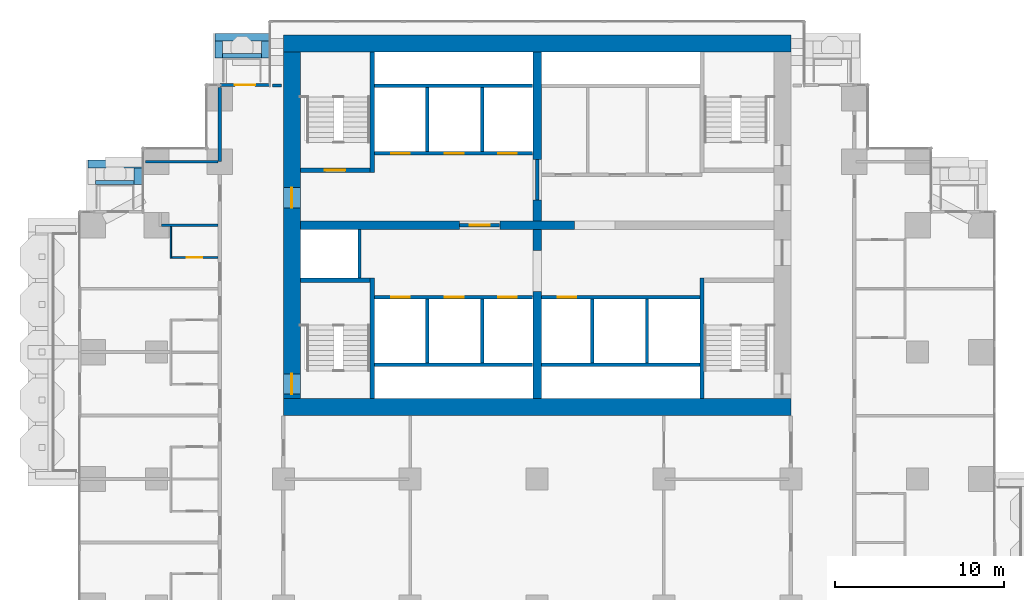
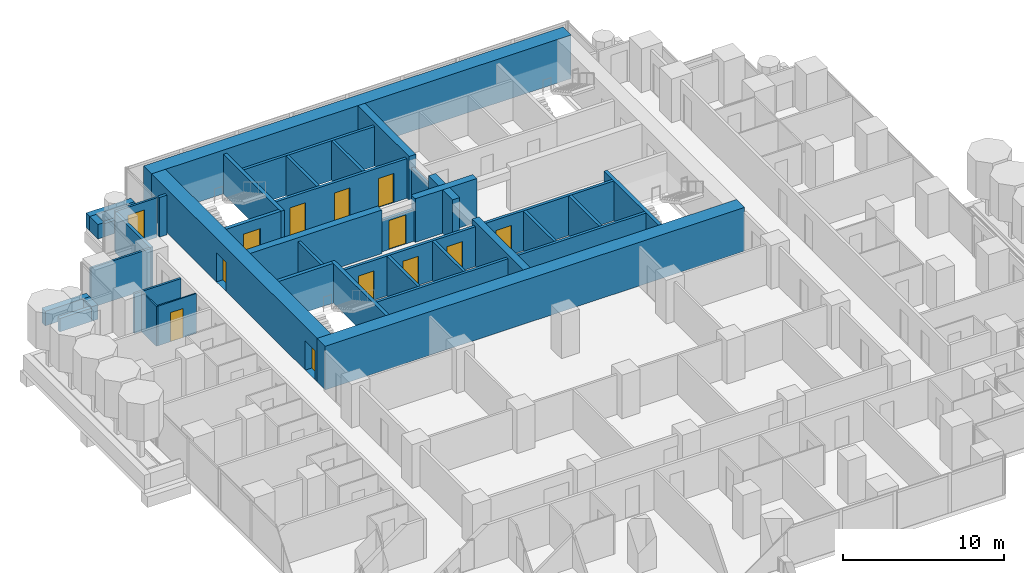
# One storey, part 13 of 18: 43 walls, 13 doors, 13 openings.
"""IFC4 building model written with IfcOpenShell, lengths in metres."""

from ifc_helpers import new_model, si_unit, direction, frame, frame_2d, origin, place, context, subcontext, project, spatial, rectangle, extrude, material, layer, layer_set, type_object, element, fill, save


model = new_model("IFC4")

# Units and contexts
model_context = context("Model", 3, precision=1e-05, world=origin(), true_north=direction((0.0, 1.0)))
body_context = subcontext(model_context, "Body", "Model", "MODEL_VIEW")
ifc_project = project(units=[si_unit("LENGTHUNIT", "METRE"), si_unit("AREAUNIT", "SQUARE_METRE"), si_unit("VOLUMEUNIT", "CUBIC_METRE"), si_unit("PLANEANGLEUNIT", "RADIAN"), si_unit("MASSUNIT", "GRAM", prefix="KILO")], contexts=[model_context])

# Site, building, storey
site_placement = place(None, origin())
site = spatial("IfcSite", under=ifc_project, at=site_placement, CompositionType="ELEMENT")
building_placement = place(site_placement, origin())
building = spatial("IfcBuilding", under=site, at=building_placement, Name="Pilkhan Gate Tower", CompositionType="ELEMENT")
storey_placement = place(building_placement, frame((0.0, 0.0, 75.800048828125)))
storey = spatial("IfcBuildingStorey", under=building, at=storey_placement, Name="L17", CompositionType="ELEMENT", Elevation=75.800048828125)

# Walls
ifc_material_1 = material(Name="Concrete C40/50", Category="concrete")
ifc_layer_1 = layer(ifc_material_1, 0.25)
ifc_layer_set_1 = layer_set([ifc_layer_1], Name="Balcony planter BP250")
wall_type_1 = type_object("IfcWallType", Name="Balcony planter BP250", PredefinedType="USERDEFINED", material=ifc_layer_set_1)
wall_1_placement = place(storey_placement, frame((56.39990234375, 92.52490234375, 0.0), z_axis=(0.0, 0.0, 1.0), x_axis=(1.0, 0.0, 0.0)))
element("IfcWall", 1, at=wall_1_placement, inside=storey, type_object=wall_type_1, Name="Balcony planter L17 N", ObjectType="BALCONY PLANTER", PredefinedType="USERDEFINED", context=body_context, shape_type="SweptSolid", body=[
    extrude(rectangle(XDim=2.300048828125, YDim=0.25, at=frame_2d((1.14990234375, 0.0))), origin(), (0.0, 0.0, 1.0), 1.0),
])
wall_2_placement = place(storey_placement, frame((48.89990234375, 85.02490234375, 0.0), z_axis=(0.0, 0.0, 1.0), x_axis=(1.0, 0.0, 0.0)))
element("IfcWall", 2, at=wall_2_placement, inside=storey, type_object=wall_type_1, Name="Balcony planter L17 N", ObjectType="BALCONY PLANTER", PredefinedType="USERDEFINED", context=body_context, shape_type="SweptSolid", body=[
    extrude(rectangle(XDim=2.280029296875, YDim=0.25, at=frame_2d((1.14013671875, 0.0))), origin(), (0.0, 0.0, 1.0), 1.0),
])
ifc_material_2 = material(Name="Board-marked Concrete C40/50", Category="concrete")
ifc_layer_2 = layer(ifc_material_2, 0.449951171875)
ifc_layer_set_2 = layer_set([ifc_layer_2], Name="Balcony planter lip BL450")
wall_type_2 = type_object("IfcWallType", Name="Balcony planter lip BL450", PredefinedType="USERDEFINED", material=ifc_layer_set_2)
wall_3_placement = place(storey_placement, frame((55.949951171875, 93.625, 0.0), z_axis=(0.0, 0.0, 1.0), x_axis=(1.0, 0.0, 0.0)))
element("IfcWall", 3, at=wall_3_placement, inside=storey, type_object=wall_type_2, Name="Balcony planter L17 N", ObjectType="BALCONY PLANTER", PredefinedType="USERDEFINED", context=body_context, shape_type="SweptSolid", body=[
    extrude(rectangle(XDim=3.199951171875, YDim=0.449951171875, at=frame_2d((1.60009765625, 0.0))), origin(), (0.0, 0.0, 1.0), 1.099853515625),
])
for number, where, z_axis, x_axis, name in (
    (4, (56.175048828125, 92.39990234375, 0.0), (0.0, 0.0, 1.0), (0.0, 1.0, 0.0), "Balcony planter L17 N"),
    (5, (58.925048828125, 92.39990234375, 0.0), (0.0, 0.0, 1.0), (0.0, 1.0, 0.0), "Balcony planter L17 N"),
):
    element("IfcWall", number, at=place(storey_placement, frame(where, z_axis=z_axis, x_axis=x_axis)), inside=storey, type_object=wall_type_2, Name=name, ObjectType="BALCONY PLANTER", PredefinedType="USERDEFINED", context=body_context, shape_type="SweptSolid", body=[
        extrude(rectangle(XDim=1.0, YDim=0.449951171875, at=frame_2d((0.5, 0.0))), origin(), (0.0, 0.0, 1.0), 1.099853515625),
    ])
wall_4_placement = place(storey_placement, frame((48.449951171875, 86.125, 0.0), z_axis=(0.0, 0.0, 1.0), x_axis=(1.0, 0.0, 0.0)))
element("IfcWall", 6, at=wall_4_placement, inside=storey, type_object=wall_type_2, Name="Balcony planter L17 N", ObjectType="BALCONY PLANTER", PredefinedType="USERDEFINED", context=body_context, shape_type="SweptSolid", body=[
    extrude(rectangle(XDim=3.179931640625, YDim=0.449951171875, at=frame_2d((1.58984375, 0.0))), origin(), (0.0, 0.0, 1.0), 1.099853515625),
])
wall_5_placement = place(storey_placement, frame((51.405029296875, 84.89990234375, 0.0), z_axis=(0.0, 0.0, 1.0), x_axis=(0.0, 1.0, 0.0)))
element("IfcWall", 7, at=wall_5_placement, inside=storey, type_object=wall_type_2, Name="Balcony planter L17 N", ObjectType="BALCONY PLANTER", PredefinedType="USERDEFINED", context=body_context, shape_type="SweptSolid", body=[
    extrude(rectangle(XDim=1.0, YDim=0.449951171875, at=frame_2d((0.5, 0.0))), origin(), (0.0, 0.0, 1.0), 1.099853515625),
])
ifc_material_3 = material(Name="Concrete C70/85", Category="concrete")
ifc_layer_3 = layer(ifc_material_3, 1.0)
ifc_layer_set_3 = layer_set([ifc_layer_3], Name="Core wall CW1000 C70/85")
wall_type_3 = type_object("IfcWallType", Name="Core wall CW1000 C70/85", PredefinedType="SHEAR", material=ifc_layer_set_3)
for number, where, z_axis, x_axis, name in (
    (8, (60.0, 71.75, 0.0), (0.0, 0.0, 1.0), (1.0, 0.0, 0.0), "Core wall S L17"),
    (9, (90.0, 93.25, 0.0), (0.0, 0.0, 1.0), (-1.0, 0.0, 0.0), "Core wall N L17"),
):
    element("IfcWall", number, at=place(storey_placement, frame(where, z_axis=z_axis, x_axis=x_axis)), inside=storey, type_object=wall_type_3, Name=name, PredefinedType="SHEAR", context=body_context, shape_type="SweptSolid", body=[
        extrude(rectangle(XDim=30.0, YDim=1.0, at=frame_2d((15.0, 0.0))), origin(), (0.0, 0.0, 1.0), 3.300048828125),
    ])

# Wall, openings, doors
wall_6_placement = place(storey_placement, frame((60.5, 92.75, 0.0), z_axis=(0.0, 0.0, 1.0), x_axis=(0.0, -1.0, 0.0)))
wall_6 = element("IfcWall", 10, at=wall_6_placement, inside=storey, type_object=wall_type_3, Name="Core wall W L17", PredefinedType="SHEAR", context=body_context, shape_type="SweptSolid", body=[
    extrude(rectangle(XDim=20.5, YDim=1.0, at=frame_2d((10.25, 0.0))), origin(), (0.0, 0.0, 1.0), 3.300048828125),
])
opening_1_placement = place(wall_6_placement, frame((19.02490234375, 0.0, 0.0)))
opening_1 = element("IfcOpeningElement", 11, at=opening_1_placement, cuts=wall_6, Name="Opening L17-04", PredefinedType="OPENING", context=body_context, shape_type="SweptSolid", body=[
    extrude(rectangle(XDim=1.199951171875, YDim=2.199951171875, at=frame_2d((0.60009765625, 1.10009765625))), frame((0.0, 0.510009765625, 0.0), z_axis=(0.0, -1.0, 0.0), x_axis=(1.0, 0.0, 0.0)), (0.0, 0.0, 1.0), 1.02001953125),
])
opening_2_placement = place(wall_6_placement, frame((8.02490234375, 0.0, 0.0)))
opening_2 = element("IfcOpeningElement", 12, at=opening_2_placement, cuts=wall_6, Name="Opening L17-43", PredefinedType="OPENING", context=body_context, shape_type="SweptSolid", body=[
    extrude(rectangle(XDim=1.199951171875, YDim=2.199951171875, at=frame_2d((0.60009765625, 1.10009765625))), frame((0.0, 0.510009765625, 0.0), z_axis=(0.0, -1.0, 0.0), x_axis=(1.0, 0.0, 0.0)), (0.0, 0.0, 1.0), 1.02001953125),
])
ifc_material_4 = material(Name="Steel door, 120 minute fire resisting, self-closing", Category="steel")
door_type_1 = type_object("IfcDoorType", Name="Firefighting lobby door D10 1200x2200", OperationType="SINGLE_SWING_LEFT", PredefinedType="DOOR", material=ifc_material_4)
door_1_placement = place(opening_2_placement, origin())
door_1 = element("IfcDoor", 13, at=door_1_placement, inside=storey, type_object=door_type_1, Name="Core door", OperationType="SINGLE_SWING_LEFT", OverallHeight=2.199951171875, OverallWidth=1.199951171875, PredefinedType="DOOR", context=body_context, shape_type="SweptSolid", body=[
    extrude(rectangle(XDim=1.199951171875, YDim=2.199951171875, at=frame_2d((0.60009765625, 1.10009765625))), frame((0.0, 0.02490234375, 0.0), z_axis=(0.0, -1.0, 0.0), x_axis=(1.0, 0.0, 0.0)), (0.0, 0.0, 1.0), 0.050048828125),
])
fill(opening_2, door_1)
ifc_material_5 = material(Name="Steel door, 120 minute fire resisting, panic bar", Category="steel")
door_type_2 = type_object("IfcDoorType", Name="Stair door D11 1200x2200", OperationType="SINGLE_SWING_LEFT", PredefinedType="DOOR", material=ifc_material_5)
door_2_placement = place(opening_1_placement, origin())
door_2 = element("IfcDoor", 14, at=door_2_placement, inside=storey, type_object=door_type_2, Name="Stair ST2 door", OperationType="SINGLE_SWING_RIGHT", OverallHeight=2.199951171875, OverallWidth=1.199951171875, PredefinedType="DOOR", context=body_context, shape_type="SweptSolid", body=[
    extrude(rectangle(XDim=1.199951171875, YDim=2.199951171875, at=frame_2d((0.60009765625, 1.10009765625))), frame((0.0, 0.02490234375, 0.0), z_axis=(0.0, -1.0, 0.0), x_axis=(1.0, 0.0, 0.0)), (0.0, 0.0, 1.0), 0.050048828125),
])
fill(opening_1, door_2)

# Walls
ifc_material_6 = material(Name="Dense blockwork", Category="masonry")
ifc_layer_4 = layer(ifc_material_6, 0.199951171875)
ifc_layer_set_4 = layer_set([ifc_layer_4], Name="Corridor wall FW200")
wall_type_4 = type_object("IfcWallType", Name="Corridor wall FW200", PredefinedType="PARTITIONING", material=ifc_layer_set_4)
wall_7_placement = place(storey_placement, frame((59.35498046875, 90.764892578125, 0.0), z_axis=(0.0, 0.0, 1.0), x_axis=(1.0, 0.0, 0.0)))
element("IfcWall", 15, at=wall_7_placement, inside=storey, type_object=wall_type_4, Name="Partition L17", PredefinedType="PARTITIONING", context=body_context, shape_type="SweptSolid", body=[
    extrude(rectangle(XDim=0.52490234375, YDim=0.199951171875, at=frame_2d((0.262451171875, 0.0))), origin(), (0.0, 0.0, 1.0), 3.0),
])
wall_8_placement = place(storey_placement, frame((56.25, 86.280029296875, 0.0), z_axis=(0.0, 0.0, 1.0), x_axis=(0.0, 1.0, 0.0)))
element("IfcWall", 16, at=wall_8_placement, inside=storey, type_object=wall_type_4, Name="Partition L17", PredefinedType="PARTITIONING", context=body_context, shape_type="SweptSolid", body=[
    extrude(rectangle(XDim=4.364990234375, YDim=0.199951171875, at=frame_2d((2.1826171875, 0.0))), origin(), (0.0, 0.0, 1.0), 3.0),
])

# Wall, opening, door
ifc_material_7 = material(Name="Pale anodised aluminium, clear laminated glazing", Category="aluminium")
ifc_layer_5 = layer(ifc_material_7, 0.14990234375)
ifc_layer_set_5 = layer_set([ifc_layer_5], Name="Facade infill wall IW150")
wall_type_5 = type_object("IfcWallType", Name="Facade infill wall IW150", PredefinedType="SOLIDWALL", material=ifc_layer_set_5)
wall_9_placement = place(storey_placement, frame((56.25, 90.794921875, 0.0), z_axis=(0.0, 0.0, 1.0), x_axis=(1.0, 0.0, 0.0)))
wall_9 = element("IfcWall", 17, at=wall_9_placement, inside=storey, type_object=wall_type_5, Name="Infill wall L17 N", PredefinedType="SOLIDWALL", context=body_context, shape_type="SweptSolid", body=[
    extrude(rectangle(XDim=2.955078125, YDim=0.14990234375, at=frame_2d((1.4775390625, 0.0))), origin(), (0.0, 0.0, 1.0), 3.0),
])
opening_3_placement = place(wall_9_placement, frame((0.87744140625, 0.0, 0.0)))
opening_3 = element("IfcOpeningElement", 18, at=opening_3_placement, cuts=wall_9, Name="Opening D1", PredefinedType="OPENING", context=body_context, shape_type="SweptSolid", body=[
    extrude(rectangle(XDim=1.199951171875, YDim=2.39990234375, at=frame_2d((0.60009765625, 1.199951171875))), frame((0.0, 0.0849609375, 0.0), z_axis=(0.0, -1.0, 0.0), x_axis=(1.0, 0.0, 0.0)), (0.0, 0.0, 1.0), 0.169921875),
])
ifc_material_8 = material(Name="Pale anodised aluminium, clear glazing", Category="aluminium")
door_type_3 = type_object("IfcDoorType", Name="Balcony door D1 1200x2400", OperationType="SINGLE_SWING_LEFT", PredefinedType="DOOR", material=ifc_material_8)
door_3_placement = place(opening_3_placement, origin())
door_3 = element("IfcDoor", 19, at=door_3_placement, inside=storey, type_object=door_type_3, Name="Balcony door L17", OperationType="SINGLE_SWING_LEFT", OverallHeight=2.39990234375, OverallWidth=1.199951171875, PredefinedType="DOOR", context=body_context, shape_type="SweptSolid", body=[
    extrude(rectangle(XDim=1.199951171875, YDim=2.39990234375, at=frame_2d((0.60009765625, 1.199951171875))), frame((0.0, 0.02490234375, 0.0), z_axis=(0.0, -1.0, 0.0), x_axis=(1.0, 0.0, 0.0)), (0.0, 0.0, 1.0), 0.050048828125),
])
fill(opening_3, door_3)

ifc_layer_6 = layer(ifc_material_6, 0.199951171875)
ifc_layer_set_6 = layer_set([ifc_layer_6], Name="Lobby wall LW200")
wall_type_6 = type_object("IfcWallType", Name="Lobby wall LW200", PredefinedType="PARTITIONING", material=ifc_layer_set_6)
wall_10_placement = place(storey_placement, frame((70.409912109375, 82.5, 0.0), z_axis=(0.0, 0.0, 1.0), x_axis=(1.0, 0.0, 0.0)))
wall_10 = element("IfcWall", 20, at=wall_10_placement, inside=storey, type_object=wall_type_6, Name="Partition L17", PredefinedType="PARTITIONING", context=body_context, shape_type="SweptSolid", body=[
    extrude(rectangle(XDim=2.380126953125, YDim=0.199951171875, at=frame_2d((1.18994140625, 0.0))), origin(), (0.0, 0.0, 1.0), 2.39990234375),
])
opening_4_placement = place(wall_10_placement, frame((0.60009765625, 0.0, 0.0)))
opening_4 = element("IfcOpeningElement", 21, at=opening_4_placement, cuts=wall_10, Name="Opening L17-01", PredefinedType="OPENING", context=body_context, shape_type="SweptSolid", body=[
    extrude(rectangle(XDim=1.199951171875, YDim=2.199951171875, at=frame_2d((0.60009765625, 1.10009765625))), frame((0.0, 0.10986328125, 0.0), z_axis=(0.0, -1.0, 0.0), x_axis=(1.0, 0.0, 0.0)), (0.0, 0.0, 1.0), 0.219970703125),
])
door_4_placement = place(opening_4_placement, origin())
door_4 = element("IfcDoor", 22, at=door_4_placement, inside=storey, type_object=door_type_1, Name="Firefighting lobby door", OperationType="SINGLE_SWING_LEFT", OverallHeight=2.199951171875, OverallWidth=1.199951171875, PredefinedType="DOOR", context=body_context, shape_type="SweptSolid", body=[
    extrude(rectangle(XDim=1.199951171875, YDim=2.199951171875, at=frame_2d((0.60009765625, 1.10009765625))), frame((0.0, 0.02490234375, 0.0), z_axis=(0.0, -1.0, 0.0), x_axis=(1.0, 0.0, 0.0)), (0.0, 0.0, 1.0), 0.050048828125),
])
fill(opening_4, door_4)

# Walls
wall_11_placement = place(storey_placement, frame((75.0, 84.010009765625, 0.0), z_axis=(0.0, 0.0, 1.0), x_axis=(0.0, 1.0, 0.0)))
element("IfcWall", 23, at=wall_11_placement, inside=storey, type_object=wall_type_6, Name="Partition L17", PredefinedType="PARTITIONING", context=body_context, shape_type="SweptSolid", body=[
    extrude(rectangle(XDim=2.3798828125, YDim=0.199951171875, at=frame_2d((1.18994140625, 0.0))), origin(), (0.0, 0.0, 1.0), 2.39990234375),
])
ifc_material_9 = material(Name="Blockwork partition, plastered both sides", Category="masonry")
ifc_layer_7 = layer(ifc_material_9, 0.14990234375)
ifc_layer_set_7 = layer_set([ifc_layer_7], Name="Partition PW150")
wall_type_7 = type_object("IfcWallType", Name="Partition PW150", PredefinedType="PARTITIONING", material=ifc_layer_set_7)
wall_12_placement = place(storey_placement, frame((52.81005859375, 82.5, 0.0), z_axis=(0.0, 0.0, 1.0), x_axis=(1.0, 0.0, 0.0)))
element("IfcWall", 24, at=wall_12_placement, inside=storey, type_object=wall_type_7, Name="Partition L17", PredefinedType="PARTITIONING", context=body_context, shape_type="SweptSolid", body=[
    extrude(rectangle(XDim=3.33984375, YDim=0.14990234375, at=frame_2d((1.669921875, 0.0))), origin(), (0.0, 0.0, 1.0), 3.0),
])
wall_13_placement = place(storey_placement, frame((51.85498046875, 86.25, 0.0), z_axis=(0.0, 0.0, 1.0), x_axis=(1.0, 0.0, 0.0)))
element("IfcWall", 25, at=wall_13_placement, inside=storey, type_object=wall_type_7, Name="Partition L17", PredefinedType="PARTITIONING", context=body_context, shape_type="SweptSolid", body=[
    extrude(rectangle(XDim=4.294921875, YDim=0.14990234375, at=frame_2d((2.1474609375, 0.0))), origin(), (0.0, 0.0, 1.0), 3.0),
])
ifc_material_10 = material(Name="Reinforced blockwork shaft wall, 120 minute fire resisting", Category="masonry")
ifc_layer_8 = layer(ifc_material_10, 0.199951171875)
ifc_layer_set_8 = layer_set([ifc_layer_8], Name="Shaft wall SW200")
wall_type_8 = type_object("IfcWallType", Name="Shaft wall SW200", PredefinedType="PARTITIONING", material=ifc_layer_set_8)
for number, where, z_axis, x_axis, name in (
    (26, (65.375, 74.25, 0.0), (0.0, 0.0, 1.0), (1.0, 0.0, 0.0), "Partition L17"),
    (27, (75.260009765625, 74.25, 0.0), (0.0, 0.0, 1.0), (1.0, 0.0, 0.0), "Partition L17"),
):
    element("IfcWall", number, at=place(storey_placement, frame(where, z_axis=z_axis, x_axis=x_axis)), inside=storey, type_object=wall_type_8, Name=name, PredefinedType="PARTITIONING", context=body_context, shape_type="SweptSolid", body=[
        extrude(rectangle(XDim=9.364990234375, YDim=0.199951171875, at=frame_2d((4.6826171875, 0.0))), origin(), (0.0, 0.0, 1.0), 3.0),
    ])

# Wall, openings, doors
wall_14_placement = place(storey_placement, frame((65.375, 78.25, 0.0), z_axis=(0.0, 0.0, 1.0), x_axis=(1.0, 0.0, 0.0)))
wall_14 = element("IfcWall", 28, at=wall_14_placement, inside=storey, type_object=wall_type_8, Name="Partition L17", PredefinedType="PARTITIONING", context=body_context, shape_type="SweptSolid", body=[
    extrude(rectangle(XDim=9.364990234375, YDim=0.199951171875, at=frame_2d((4.6826171875, 0.0))), origin(), (0.0, 0.0, 1.0), 3.0),
])
opening_5_placement = place(wall_14_placement, frame((1.0, 0.0, 0.0)))
opening_5 = element("IfcOpeningElement", 29, at=opening_5_placement, cuts=wall_14, Name="Opening LD", PredefinedType="OPENING", context=body_context, shape_type="SweptSolid", body=[
    extrude(rectangle(XDim=1.10009765625, YDim=2.199951171875, at=frame_2d((0.550048828125, 1.10009765625))), frame((0.0, 0.10986328125, 0.0), z_axis=(0.0, -1.0, 0.0), x_axis=(1.0, 0.0, 0.0)), (0.0, 0.0, 1.0), 0.219970703125),
])
opening_6_placement = place(wall_14_placement, frame((4.175048828125, 0.0, 0.0)))
opening_6 = element("IfcOpeningElement", 30, at=opening_6_placement, cuts=wall_14, Name="Opening LD", PredefinedType="OPENING", context=body_context, shape_type="SweptSolid", body=[
    extrude(rectangle(XDim=1.10009765625, YDim=2.199951171875, at=frame_2d((0.550048828125, 1.10009765625))), frame((0.0, 0.10986328125, 0.0), z_axis=(0.0, -1.0, 0.0), x_axis=(1.0, 0.0, 0.0)), (0.0, 0.0, 1.0), 0.219970703125),
])
opening_7_placement = place(wall_14_placement, frame((7.324951171875, 0.0, 0.0)))
opening_7 = element("IfcOpeningElement", 31, at=opening_7_placement, cuts=wall_14, Name="Opening LD", PredefinedType="OPENING", context=body_context, shape_type="SweptSolid", body=[
    extrude(rectangle(XDim=1.10009765625, YDim=2.199951171875, at=frame_2d((0.550048828125, 1.10009765625))), frame((0.0, 0.10986328125, 0.0), z_axis=(0.0, -1.0, 0.0), x_axis=(1.0, 0.0, 0.0)), (0.0, 0.0, 1.0), 0.219970703125),
])
ifc_material_11 = material(Name="Stainless steel centre-opening landing door, 120 minute fire resisting", Category="steel")
door_type_4 = type_object("IfcDoorType", Name="Lift landing door LD 1100x2200", OperationType="DOUBLE_DOOR_SLIDING", PredefinedType="DOOR", material=ifc_material_11)
door_5_placement = place(opening_5_placement, origin())
door_5 = element("IfcDoor", 32, at=door_5_placement, inside=storey, type_object=door_type_4, Name="Landing door LR1", OperationType="DOUBLE_DOOR_SLIDING", OverallHeight=2.199951171875, OverallWidth=1.10009765625, PredefinedType="DOOR", context=body_context, shape_type="SweptSolid", body=[
    extrude(rectangle(XDim=1.10009765625, YDim=2.199951171875, at=frame_2d((0.550048828125, 1.10009765625))), frame((0.0, 0.02490234375, 0.0), z_axis=(0.0, -1.0, 0.0), x_axis=(1.0, 0.0, 0.0)), (0.0, 0.0, 1.0), 0.050048828125),
])
fill(opening_5, door_5)
door_6_placement = place(opening_6_placement, origin())
door_6 = element("IfcDoor", 33, at=door_6_placement, inside=storey, type_object=door_type_4, Name="Landing door LR2", OperationType="DOUBLE_DOOR_SLIDING", OverallHeight=2.199951171875, OverallWidth=1.10009765625, PredefinedType="DOOR", context=body_context, shape_type="SweptSolid", body=[
    extrude(rectangle(XDim=1.10009765625, YDim=2.199951171875, at=frame_2d((0.550048828125, 1.10009765625))), frame((0.0, 0.02490234375, 0.0), z_axis=(0.0, -1.0, 0.0), x_axis=(1.0, 0.0, 0.0)), (0.0, 0.0, 1.0), 0.050048828125),
])
fill(opening_6, door_6)
door_7_placement = place(opening_7_placement, origin())
door_7 = element("IfcDoor", 34, at=door_7_placement, inside=storey, type_object=door_type_4, Name="Landing door LR3", OperationType="DOUBLE_DOOR_SLIDING", OverallHeight=2.199951171875, OverallWidth=1.10009765625, PredefinedType="DOOR", context=body_context, shape_type="SweptSolid", body=[
    extrude(rectangle(XDim=1.10009765625, YDim=2.199951171875, at=frame_2d((0.550048828125, 1.10009765625))), frame((0.0, 0.02490234375, 0.0), z_axis=(0.0, -1.0, 0.0), x_axis=(1.0, 0.0, 0.0)), (0.0, 0.0, 1.0), 0.050048828125),
])
fill(opening_7, door_7)

# Wall, opening, door
wall_15_placement = place(storey_placement, frame((75.260009765625, 78.25, 0.0), z_axis=(0.0, 0.0, 1.0), x_axis=(1.0, 0.0, 0.0)))
wall_15 = element("IfcWall", 35, at=wall_15_placement, inside=storey, type_object=wall_type_8, Name="Partition L17", PredefinedType="PARTITIONING", context=body_context, shape_type="SweptSolid", body=[
    extrude(rectangle(XDim=9.364990234375, YDim=0.199951171875, at=frame_2d((4.6826171875, 0.0))), origin(), (0.0, 0.0, 1.0), 3.0),
])
opening_8_placement = place(wall_15_placement, frame((0.949951171875, 0.0, 0.0)))
opening_8 = element("IfcOpeningElement", 36, at=opening_8_placement, cuts=wall_15, Name="Opening LD", PredefinedType="OPENING", context=body_context, shape_type="SweptSolid", body=[
    extrude(rectangle(XDim=1.10009765625, YDim=2.199951171875, at=frame_2d((0.550048828125, 1.10009765625))), frame((0.0, 0.10986328125, 0.0), z_axis=(0.0, -1.0, 0.0), x_axis=(1.0, 0.0, 0.0)), (0.0, 0.0, 1.0), 0.219970703125),
])
door_8_placement = place(opening_8_placement, origin())
door_8 = element("IfcDoor", 37, at=door_8_placement, inside=storey, type_object=door_type_4, Name="Landing door LR4", OperationType="DOUBLE_DOOR_SLIDING", OverallHeight=2.199951171875, OverallWidth=1.10009765625, PredefinedType="DOOR", context=body_context, shape_type="SweptSolid", body=[
    extrude(rectangle(XDim=1.10009765625, YDim=2.199951171875, at=frame_2d((0.550048828125, 1.10009765625))), frame((0.0, 0.02490234375, 0.0), z_axis=(0.0, -1.0, 0.0), x_axis=(1.0, 0.0, 0.0)), (0.0, 0.0, 1.0), 0.050048828125),
])
fill(opening_8, door_8)

# Wall, openings, doors
wall_16_placement = place(storey_placement, frame((65.375, 86.75, 0.0), z_axis=(0.0, 0.0, 1.0), x_axis=(1.0, 0.0, 0.0)))
wall_16 = element("IfcWall", 38, at=wall_16_placement, inside=storey, type_object=wall_type_8, Name="Partition L17", PredefinedType="PARTITIONING", context=body_context, shape_type="SweptSolid", body=[
    extrude(rectangle(XDim=9.364990234375, YDim=0.199951171875, at=frame_2d((4.6826171875, 0.0))), origin(), (0.0, 0.0, 1.0), 3.0),
])
opening_9_placement = place(wall_16_placement, frame((1.0, 0.0, 0.0)))
opening_9 = element("IfcOpeningElement", 39, at=opening_9_placement, cuts=wall_16, Name="Opening LD", PredefinedType="OPENING", context=body_context, shape_type="SweptSolid", body=[
    extrude(rectangle(XDim=1.10009765625, YDim=2.199951171875, at=frame_2d((0.550048828125, 1.10009765625))), frame((0.0, 0.10986328125, 0.0), z_axis=(0.0, -1.0, 0.0), x_axis=(1.0, 0.0, 0.0)), (0.0, 0.0, 1.0), 0.219970703125),
])
opening_10_placement = place(wall_16_placement, frame((4.175048828125, 0.0, 0.0)))
opening_10 = element("IfcOpeningElement", 40, at=opening_10_placement, cuts=wall_16, Name="Opening LD", PredefinedType="OPENING", context=body_context, shape_type="SweptSolid", body=[
    extrude(rectangle(XDim=1.10009765625, YDim=2.199951171875, at=frame_2d((0.550048828125, 1.10009765625))), frame((0.0, 0.10986328125, 0.0), z_axis=(0.0, -1.0, 0.0), x_axis=(1.0, 0.0, 0.0)), (0.0, 0.0, 1.0), 0.219970703125),
])
opening_11_placement = place(wall_16_placement, frame((7.324951171875, 0.0, 0.0)))
opening_11 = element("IfcOpeningElement", 41, at=opening_11_placement, cuts=wall_16, Name="Opening LD", PredefinedType="OPENING", context=body_context, shape_type="SweptSolid", body=[
    extrude(rectangle(XDim=1.10009765625, YDim=2.199951171875, at=frame_2d((0.550048828125, 1.10009765625))), frame((0.0, 0.10986328125, 0.0), z_axis=(0.0, -1.0, 0.0), x_axis=(1.0, 0.0, 0.0)), (0.0, 0.0, 1.0), 0.219970703125),
])
door_9_placement = place(opening_9_placement, origin())
door_9 = element("IfcDoor", 42, at=door_9_placement, inside=storey, type_object=door_type_4, Name="Landing door FF1", OperationType="DOUBLE_DOOR_SLIDING", OverallHeight=2.199951171875, OverallWidth=1.10009765625, PredefinedType="DOOR", context=body_context, shape_type="SweptSolid", body=[
    extrude(rectangle(XDim=1.10009765625, YDim=2.199951171875, at=frame_2d((0.550048828125, 1.10009765625))), frame((0.0, 0.02490234375, 0.0), z_axis=(0.0, -1.0, 0.0), x_axis=(1.0, 0.0, 0.0)), (0.0, 0.0, 1.0), 0.050048828125),
])
fill(opening_9, door_9)
door_10_placement = place(opening_10_placement, origin())
door_10 = element("IfcDoor", 43, at=door_10_placement, inside=storey, type_object=door_type_4, Name="Landing door FF2", OperationType="DOUBLE_DOOR_SLIDING", OverallHeight=2.199951171875, OverallWidth=1.10009765625, PredefinedType="DOOR", context=body_context, shape_type="SweptSolid", body=[
    extrude(rectangle(XDim=1.10009765625, YDim=2.199951171875, at=frame_2d((0.550048828125, 1.10009765625))), frame((0.0, 0.02490234375, 0.0), z_axis=(0.0, -1.0, 0.0), x_axis=(1.0, 0.0, 0.0)), (0.0, 0.0, 1.0), 0.050048828125),
])
fill(opening_10, door_10)
door_11_placement = place(opening_11_placement, origin())
door_11 = element("IfcDoor", 44, at=door_11_placement, inside=storey, type_object=door_type_4, Name="Landing door SV1", OperationType="DOUBLE_DOOR_SLIDING", OverallHeight=2.199951171875, OverallWidth=1.10009765625, PredefinedType="DOOR", context=body_context, shape_type="SweptSolid", body=[
    extrude(rectangle(XDim=1.10009765625, YDim=2.199951171875, at=frame_2d((0.550048828125, 1.10009765625))), frame((0.0, 0.02490234375, 0.0), z_axis=(0.0, -1.0, 0.0), x_axis=(1.0, 0.0, 0.0)), (0.0, 0.0, 1.0), 0.050048828125),
])
fill(opening_11, door_11)

# Walls
wall_17_placement = place(storey_placement, frame((65.375, 90.75, 0.0), z_axis=(0.0, 0.0, 1.0), x_axis=(1.0, 0.0, 0.0)))
element("IfcWall", 45, at=wall_17_placement, inside=storey, type_object=wall_type_8, Name="Partition L17", PredefinedType="PARTITIONING", context=body_context, shape_type="SweptSolid", body=[
    extrude(rectangle(XDim=9.364990234375, YDim=0.199951171875, at=frame_2d((4.6826171875, 0.0))), origin(), (0.0, 0.0, 1.0), 3.0),
])
wall_18_placement = place(storey_placement, frame((64.5, 79.375, 0.0), z_axis=(0.0, 0.0, 1.0), x_axis=(0.0, 1.0, 0.0)))
element("IfcWall", 46, at=wall_18_placement, inside=storey, type_object=wall_type_8, Name="Partition L17", PredefinedType="PARTITIONING", context=body_context, shape_type="SweptSolid", body=[
    extrude(rectangle(XDim=2.864990234375, YDim=0.199951171875, at=frame_2d((1.4326171875, 0.0))), origin(), (0.0, 0.0, 1.0), 3.0),
])
for number, where, z_axis, x_axis, name in (
    (47, (68.5, 74.35009765625, 0.0), (0.0, 0.0, 1.0), (0.0, 1.0, 0.0), "Partition L17"),
    (48, (68.5, 86.85009765625, 0.0), (0.0, 0.0, 1.0), (0.0, 1.0, 0.0), "Partition L17"),
    (49, (71.75, 74.35009765625, 0.0), (0.0, 0.0, 1.0), (0.0, 1.0, 0.0), "Partition L17"),
    (50, (71.75, 86.85009765625, 0.0), (0.0, 0.0, 1.0), (0.0, 1.0, 0.0), "Partition L17"),
    (51, (78.25, 74.35009765625, 0.0), (0.0, 0.0, 1.0), (0.0, 1.0, 0.0), "Partition L17"),
    (52, (81.5, 74.35009765625, 0.0), (0.0, 0.0, 1.0), (0.0, 1.0, 0.0), "Partition L17"),
):
    element("IfcWall", number, at=place(storey_placement, frame(where, z_axis=z_axis, x_axis=x_axis)), inside=storey, type_object=wall_type_8, Name=name, PredefinedType="PARTITIONING", context=body_context, shape_type="SweptSolid", body=[
        extrude(rectangle(XDim=3.7998046875, YDim=0.199951171875, at=frame_2d((1.89990234375, 0.0))), origin(), (0.0, 0.0, 1.0), 3.0),
    ])
ifc_layer_9 = layer(ifc_material_3, 0.5)
ifc_layer_set_9 = layer_set([ifc_layer_9], Name="Spine wall SW500 C70/85")
wall_type_9 = type_object("IfcWallType", Name="Spine wall SW500 C70/85", PredefinedType="SHEAR", material=ifc_layer_set_9)
wall_19_placement = place(storey_placement, frame((61.0, 82.5, 0.0), z_axis=(0.0, 0.0, 1.0), x_axis=(1.0, 0.0, 0.0)))
element("IfcWall", 53, at=wall_19_placement, inside=storey, type_object=wall_type_9, Name="Spine wall SP-EW1 L17", PredefinedType="SHEAR", context=body_context, shape_type="SweptSolid", body=[
    extrude(rectangle(XDim=9.39990234375, YDim=0.5, at=frame_2d((4.699951171875, 0.0))), origin(), (0.0, 0.0, 1.0), 3.300048828125),
])
wall_20_placement = place(storey_placement, frame((72.800048828125, 82.5, 0.0), z_axis=(0.0, 0.0, 1.0), x_axis=(1.0, 0.0, 0.0)))
element("IfcWall", 54, at=wall_20_placement, inside=storey, type_object=wall_type_9, Name="Spine wall SP-EW2 L17", PredefinedType="SHEAR", context=body_context, shape_type="SweptSolid", body=[
    extrude(rectangle(XDim=4.39990234375, YDim=0.5, at=frame_2d((2.199951171875, 0.0))), origin(), (0.0, 0.0, 1.0), 3.300048828125),
])
wall_21_placement = place(storey_placement, frame((75.0, 72.25, 0.0), z_axis=(0.0, 0.0, 1.0), x_axis=(0.0, 1.0, 0.0)))
element("IfcWall", 55, at=wall_21_placement, inside=storey, type_object=wall_type_9, Name="Spine wall SP-NS-S1 L17", PredefinedType="SHEAR", context=body_context, shape_type="SweptSolid", body=[
    extrude(rectangle(XDim=6.35009765625, YDim=0.5, at=frame_2d((3.175048828125, 0.0))), origin(), (0.0, 0.0, 1.0), 3.300048828125),
])
for number, where, z_axis, x_axis, name in (
    (56, (75.0, 81.0, 0.0), (0.0, 0.0, 1.0), (0.0, 1.0, 0.0), "Spine wall SP-NS-S2 L17"),
    (57, (75.0, 82.75, 0.0), (0.0, 0.0, 1.0), (0.0, 1.0, 0.0), "Spine wall SP-NS-N1 L17"),
):
    element("IfcWall", number, at=place(storey_placement, frame(where, z_axis=z_axis, x_axis=x_axis)), inside=storey, type_object=wall_type_9, Name=name, PredefinedType="SHEAR", context=body_context, shape_type="SweptSolid", body=[
        extrude(rectangle(XDim=1.25, YDim=0.5, at=frame_2d((0.625, 0.0))), origin(), (0.0, 0.0, 1.0), 3.300048828125),
    ])
wall_22_placement = place(storey_placement, frame((75.0, 86.39990234375, 0.0), z_axis=(0.0, 0.0, 1.0), x_axis=(0.0, 1.0, 0.0)))
element("IfcWall", 58, at=wall_22_placement, inside=storey, type_object=wall_type_9, Name="Spine wall SP-NS-N2 L17", PredefinedType="SHEAR", context=body_context, shape_type="SweptSolid", body=[
    extrude(rectangle(XDim=6.35009765625, YDim=0.5, at=frame_2d((3.175048828125, 0.0))), origin(), (0.0, 0.0, 1.0), 3.300048828125),
])
ifc_material_12 = material(Name="Reinforced blockwork, 120 minute fire resisting", Category="masonry")
ifc_layer_10 = layer(ifc_material_12, 0.25)
ifc_layer_set_10 = layer_set([ifc_layer_10], Name="Stair enclosure wall SE250")
wall_type_10 = type_object("IfcWallType", Name="Stair enclosure wall SE250", PredefinedType="PARTITIONING", material=ifc_layer_set_10)
wall_23_placement = place(storey_placement, frame((61.010009765625, 79.25, 0.0), z_axis=(0.0, 0.0, 1.0), x_axis=(1.0, 0.0, 0.0)))
element("IfcWall", 59, at=wall_23_placement, inside=storey, type_object=wall_type_10, Name="Partition L17", PredefinedType="PARTITIONING", context=body_context, shape_type="SweptSolid", body=[
    extrude(rectangle(XDim=4.114990234375, YDim=0.25, at=frame_2d((2.0576171875, 0.0))), origin(), (0.0, 0.0, 1.0), 3.0),
])

# Wall, opening, door
wall_24_placement = place(storey_placement, frame((61.010009765625, 85.75, 0.0), z_axis=(0.0, 0.0, 1.0), x_axis=(1.0, 0.0, 0.0)))
wall_24 = element("IfcWall", 60, at=wall_24_placement, inside=storey, type_object=wall_type_10, Name="Partition L17", PredefinedType="PARTITIONING", context=body_context, shape_type="SweptSolid", body=[
    extrude(rectangle(XDim=4.114990234375, YDim=0.25, at=frame_2d((2.0576171875, 0.0))), origin(), (0.0, 0.0, 1.0), 3.0),
])
opening_12_placement = place(wall_24_placement, frame((1.449951171875, 0.0, 0.0)))
opening_12 = element("IfcOpeningElement", 61, at=opening_12_placement, cuts=wall_24, Name="Opening L17-02", PredefinedType="OPENING", context=body_context, shape_type="SweptSolid", body=[
    extrude(rectangle(XDim=1.199951171875, YDim=2.199951171875, at=frame_2d((0.60009765625, 1.10009765625))), frame((0.0, 0.135009765625, 0.0), z_axis=(0.0, -1.0, 0.0), x_axis=(1.0, 0.0, 0.0)), (0.0, 0.0, 1.0), 0.27001953125),
])
door_12_placement = place(opening_12_placement, origin())
door_12 = element("IfcDoor", 62, at=door_12_placement, inside=storey, type_object=door_type_2, Name="Stair ST3 lobby door", OperationType="SINGLE_SWING_LEFT", OverallHeight=2.199951171875, OverallWidth=1.199951171875, PredefinedType="DOOR", context=body_context, shape_type="SweptSolid", body=[
    extrude(rectangle(XDim=1.199951171875, YDim=2.199951171875, at=frame_2d((0.60009765625, 1.10009765625))), frame((0.0, 0.02490234375, 0.0), z_axis=(0.0, -1.0, 0.0), x_axis=(1.0, 0.0, 0.0)), (0.0, 0.0, 1.0), 0.050048828125),
])
fill(opening_12, door_12)

# Walls
for number, where, z_axis, x_axis, name in (
    (63, (65.25, 72.260009765625, 0.0), (0.0, 0.0, 1.0), (0.0, 1.0, 0.0), "Partition L17"),
    (64, (65.25, 85.625, 0.0), (0.0, 0.0, 1.0), (0.0, 1.0, 0.0), "Partition L17"),
    (65, (84.75, 72.260009765625, 0.0), (0.0, 0.0, 1.0), (0.0, 1.0, 0.0), "Partition L17"),
):
    element("IfcWall", number, at=place(storey_placement, frame(where, z_axis=z_axis, x_axis=x_axis)), inside=storey, type_object=wall_type_10, Name=name, PredefinedType="PARTITIONING", context=body_context, shape_type="SweptSolid", body=[
        extrude(rectangle(XDim=7.114990234375, YDim=0.25, at=frame_2d((3.5576171875, 0.0))), origin(), (0.0, 0.0, 1.0), 3.0),
    ])

# Wall, opening, door
ifc_material_13 = material(Name="Moisture resistant board, tiled")
ifc_layer_11 = layer(ifc_material_13, 0.10009765625)
ifc_layer_set_11 = layer_set([ifc_layer_11], Name="Wet wall PW100")
wall_type_11 = type_object("IfcWallType", Name="Wet wall PW100", PredefinedType="PARTITIONING", material=ifc_layer_set_11)
wall_25_placement = place(storey_placement, frame((53.39990234375, 80.60009765625, 0.0), z_axis=(0.0, 0.0, 1.0), x_axis=(1.0, 0.0, 0.0)))
wall_25 = element("IfcWall", 66, at=wall_25_placement, inside=storey, type_object=wall_type_11, Name="Partition L17", PredefinedType="PARTITIONING", context=body_context, shape_type="SweptSolid", body=[
    extrude(rectangle(XDim=2.75, YDim=0.10009765625, at=frame_2d((1.375, 0.0))), origin(), (0.0, 0.0, 1.0), 3.0),
])
opening_13_placement = place(wall_25_placement, frame((0.89990234375, 0.0, 0.0)))
opening_13 = element("IfcOpeningElement", 67, at=opening_13_placement, cuts=wall_25, Name="Opening L17-31", PredefinedType="OPENING", context=body_context, shape_type="SweptSolid", body=[
    extrude(rectangle(XDim=0.89990234375, YDim=2.199951171875, at=frame_2d((0.449951171875, 1.10009765625))), frame((0.0, 0.06005859375, 0.0), z_axis=(0.0, -1.0, 0.0), x_axis=(1.0, 0.0, 0.0)), (0.0, 0.0, 1.0), 0.1201171875),
])
ifc_material_14 = material(Name="Timber flush door", Category="wood")
door_type_5 = type_object("IfcDoorType", Name="Bathroom door D02 900x2200", OperationType="SINGLE_SWING_RIGHT", PredefinedType="DOOR", material=ifc_material_14)
door_13_placement = place(opening_13_placement, origin())
door_13 = element("IfcDoor", 68, at=door_13_placement, inside=storey, type_object=door_type_5, Name="Bathroom door", OperationType="SINGLE_SWING_RIGHT", OverallHeight=2.199951171875, OverallWidth=0.89990234375, PredefinedType="DOOR", context=body_context, shape_type="SweptSolid", body=[
    extrude(rectangle(XDim=0.89990234375, YDim=2.199951171875, at=frame_2d((0.449951171875, 1.10009765625))), frame((0.0, 0.02490234375, 0.0), z_axis=(0.0, -1.0, 0.0), x_axis=(1.0, 0.0, 0.0)), (0.0, 0.0, 1.0), 0.050048828125),
])
fill(opening_13, door_13)

# Wall
wall_26_placement = place(storey_placement, frame((53.35009765625, 80.550048828125, 0.0), z_axis=(0.0, 0.0, 1.0), x_axis=(0.0, 1.0, 0.0)))
element("IfcWall", 69, at=wall_26_placement, inside=storey, type_object=wall_type_11, Name="Partition L17", PredefinedType="PARTITIONING", context=body_context, shape_type="SweptSolid", body=[
    extrude(rectangle(XDim=1.875, YDim=0.10009765625, at=frame_2d((0.9375, 0.0))), origin(), (0.0, 0.0, 1.0), 3.0),
])

save(model, "model.ifc")
